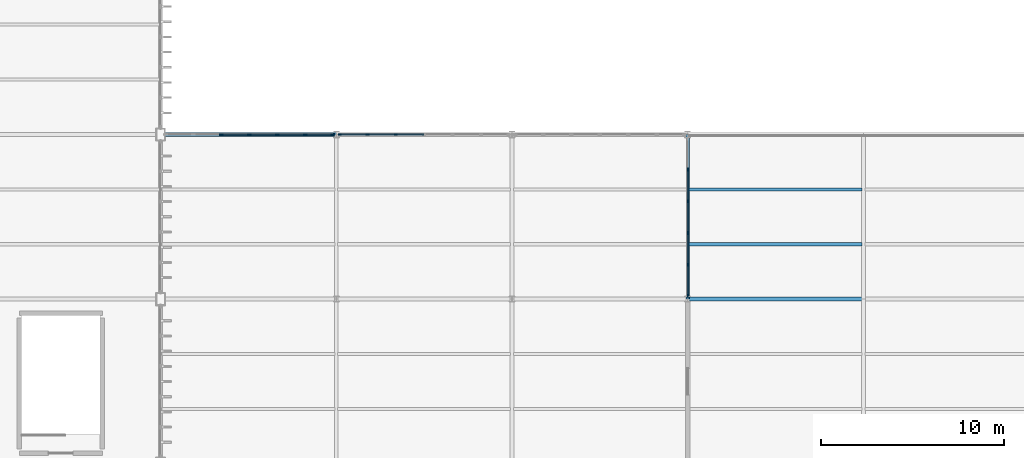
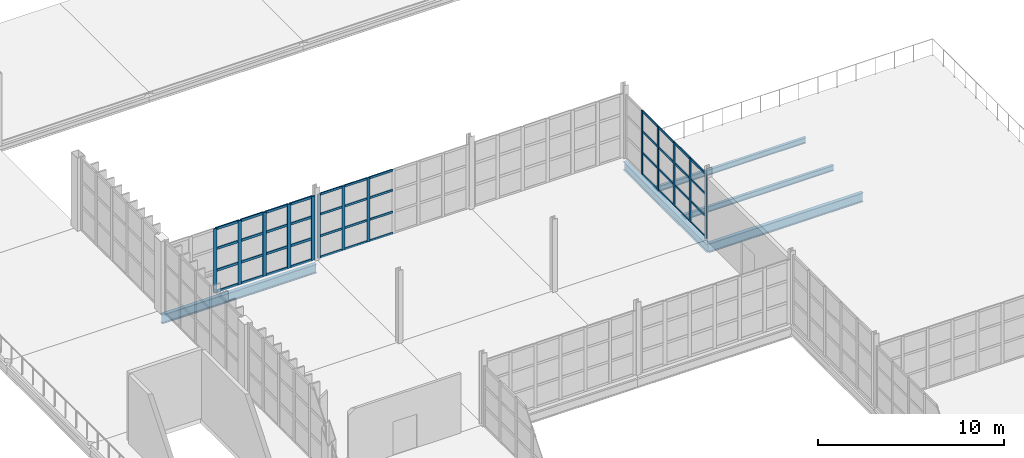
# One storey, part 69 of 120: 57 members, 5 beams, 3 elements without a shape of their own.
"""IFC4 building model written with IfcOpenShell, lengths in metres."""

from ifc_helpers import new_model, si_unit, direction, frame, origin, origin_2d, place, context, subcontext, project, spatial, rectangle, i_section, extrude, material, layer, layer_set, material_profile, profile_set, type_object, element, aggregate, save


model = new_model("IFC4")

# Units and contexts
model_context = context("Model", 3, precision=1e-05, world=origin(), true_north=direction((0.0, 1.0)))
body_context = subcontext(model_context, "Body", "Model", "MODEL_VIEW")
ifc_project = project(units=[si_unit("LENGTHUNIT", "METRE"), si_unit("AREAUNIT", "SQUARE_METRE"), si_unit("VOLUMEUNIT", "CUBIC_METRE"), si_unit("PLANEANGLEUNIT", "RADIAN"), si_unit("MASSUNIT", "GRAM", prefix="KILO")], contexts=[model_context])

# Site, building, storey
site_placement = place(None, origin())
site = spatial("IfcSite", under=ifc_project, at=site_placement, CompositionType="ELEMENT")
building_placement = place(site_placement, origin())
building = spatial("IfcBuilding", under=site, at=building_placement, Name="Zarnetskaya Central Station", CompositionType="ELEMENT")
storey_placement = place(building_placement, frame((0.0, 0.0, 5.39990234375)))
storey = spatial("IfcBuildingStorey", under=building, at=storey_placement, Name="L01", CompositionType="ELEMENT", Elevation=5.39990234375)

# Beams
ifc_material_1 = material(Name="Steel S355", Category="steel")
ifc_material_profile_1 = material_profile(ifc_material_1, i_section(OverallWidth=0.169921875, OverallDepth=0.360107421875, WebThickness=0.008056640625, FlangeThickness=0.0126953125, FilletRadius=0.01806640625, at=origin_2d()), Name="IPE 360")
ifc_profile_set_1 = profile_set([ifc_material_profile_1], Name="Steel S355")
beam_type_1 = type_object("IfcBeamType", Name="BM-SEC-360", PredefinedType="BEAM", material=ifc_profile_set_1)
for number, where, z_axis, x_axis, name in (
    (1, (153.679931640625, 43.199951171875, -0.39990234375), (1.0, 0.0, 0.0), (0.0, 1.0, 0.0), "Secondary floor beam SEC-L01-Z518-ST-67-1"),
    (2, (153.679931640625, 46.199951171875, -0.39990234375), (1.0, 0.0, 0.0), (0.0, 1.0, 0.0), "Secondary floor beam SEC-L01-Z518-ST-67-2"),
):
    element("IfcBeam", number, at=place(storey_placement, frame(where, z_axis=z_axis, x_axis=x_axis)), inside=storey, type_object=beam_type_1, Name=name, PredefinedType="BEAM", context=body_context, shape_type="SweptSolid", body=[
        extrude(i_section(OverallWidth=0.169921875, OverallDepth=0.360107421875, WebThickness=0.008056640625, FlangeThickness=0.0126953125, FilletRadius=0.01806640625, at=origin_2d()), origin(), (0.0, 0.0, 1.0), 9.440185546875),
    ])

# Curtain wall, members
ifc_material_2 = material(Name="Low-E insulated glass", Category="glass")
ifc_layer = layer(ifc_material_2, 0.159912109375, Name="Low-E insulated glass", Category="glass")
ifc_layer_set = layer_set([ifc_layer], Name="Low-E insulated glass")
curtain_wall_type = type_object("IfcCurtainWallType", Name="CW-SYS-06", PredefinedType="USERDEFINED", material=ifc_layer_set)
curtain_wall_1_placement = place(storey_placement, origin())
curtain_wall_1 = element("IfcCurtainWall", 3, at=curtain_wall_1_placement, inside=storey, type_object=curtain_wall_type, Name="Curtain wall CW-L01-113", ObjectType="CURTAIN WALL", PredefinedType="USERDEFINED")
ifc_material_3 = material(Name="Anodised aluminium", Category="aluminium")
ifc_material_profile_2 = material_profile(ifc_material_3, rectangle(XDim=0.070068359375, YDim=0.179931640625, at=origin_2d()), Name="ALU MULL 70x180")
ifc_profile_set_2 = profile_set([ifc_material_profile_2], Name="Anodised aluminium")
member_type_1 = type_object("IfcMemberType", Name="CW-MULL-180", PredefinedType="MULLION", material=ifc_profile_set_2)
member_1_placement = place(storey_placement, frame((134.5849609375, 49.199951171875, 0.0), z_axis=(0.0, 0.0, 1.0), x_axis=(0.0, 1.0, 0.0)))
member_1 = element("IfcMember", 4, at=member_1_placement, type_object=member_type_1, Name="CW-02 mullion 1", PredefinedType="MULLION", context=body_context, shape_type="SweptSolid", body=[
    extrude(rectangle(XDim=0.070068359375, YDim=0.179931640625, at=origin_2d()), origin(), (0.0, 0.0, 1.0), 4.2001953125),
])
member_2_placement = place(storey_placement, frame((136.10009765625, 49.199951171875, 0.0), z_axis=(0.0, 0.0, 1.0), x_axis=(0.0, 1.0, 0.0)))
member_2 = element("IfcMember", 5, at=member_2_placement, type_object=member_type_1, Name="CW-02 mullion 2", PredefinedType="MULLION", context=body_context, shape_type="SweptSolid", body=[
    extrude(rectangle(XDim=0.070068359375, YDim=0.179931640625, at=origin_2d()), origin(), (0.0, 0.0, 1.0), 4.2001953125),
])
member_3_placement = place(storey_placement, frame((137.64990234375, 49.199951171875, 0.0), z_axis=(0.0, 0.0, 1.0), x_axis=(0.0, 1.0, 0.0)))
member_3 = element("IfcMember", 6, at=member_3_placement, type_object=member_type_1, Name="CW-02 mullion 3", PredefinedType="MULLION", context=body_context, shape_type="SweptSolid", body=[
    extrude(rectangle(XDim=0.070068359375, YDim=0.179931640625, at=origin_2d()), origin(), (0.0, 0.0, 1.0), 4.2001953125),
])

curtain_wall_2_placement = place(storey_placement, origin())
curtain_wall_2 = element("IfcCurtainWall", 7, at=curtain_wall_2_placement, inside=storey, type_object=curtain_wall_type, Name="Curtain wall CW-L01-115", ObjectType="CURTAIN WALL", PredefinedType="USERDEFINED")
member_4_placement = place(storey_placement, frame((153.60009765625, 47.285888671875, 0.0), z_axis=(0.0, 0.0, 1.0), x_axis=(1.0, 0.0, 0.0)))
member_4 = element("IfcMember", 8, at=member_4_placement, type_object=member_type_1, Name="CW-02 mullion 2", PredefinedType="MULLION", context=body_context, shape_type="SweptSolid", body=[
    extrude(rectangle(XDim=0.070068359375, YDim=0.179931640625, at=origin_2d()), origin(), (0.0, 0.0, 1.0), 4.2001953125),
])
member_5_placement = place(storey_placement, frame((153.60009765625, 45.552001953125, 0.0), z_axis=(0.0, 0.0, 1.0), x_axis=(1.0, 0.0, 0.0)))
member_5 = element("IfcMember", 9, at=member_5_placement, type_object=member_type_1, Name="CW-02 mullion 3", PredefinedType="MULLION", context=body_context, shape_type="SweptSolid", body=[
    extrude(rectangle(XDim=0.070068359375, YDim=0.179931640625, at=origin_2d()), origin(), (0.0, 0.0, 1.0), 4.2001953125),
])
member_6_placement = place(storey_placement, frame((153.60009765625, 43.818115234375, 0.0), z_axis=(0.0, 0.0, 1.0), x_axis=(1.0, 0.0, 0.0)))
member_6 = element("IfcMember", 10, at=member_6_placement, type_object=member_type_1, Name="CW-02 mullion 4", PredefinedType="MULLION", context=body_context, shape_type="SweptSolid", body=[
    extrude(rectangle(XDim=0.070068359375, YDim=0.179931640625, at=origin_2d()), origin(), (0.0, 0.0, 1.0), 4.2001953125),
])
member_7_placement = place(storey_placement, frame((153.60009765625, 42.083984375, 0.0), z_axis=(0.0, 0.0, 1.0), x_axis=(1.0, 0.0, 0.0)))
member_7 = element("IfcMember", 11, at=member_7_placement, type_object=member_type_1, Name="CW-02 mullion 5", PredefinedType="MULLION", context=body_context, shape_type="SweptSolid", body=[
    extrude(rectangle(XDim=0.070068359375, YDim=0.179931640625, at=origin_2d()), origin(), (0.0, 0.0, 1.0), 4.2001953125),
])
member_8_placement = place(storey_placement, frame((153.60009765625, 40.385009765625, 0.0), z_axis=(0.0, 0.0, 1.0), x_axis=(1.0, 0.0, 0.0)))
member_8 = element("IfcMember", 12, at=member_8_placement, type_object=member_type_1, Name="CW-02 mullion 6", PredefinedType="MULLION", context=body_context, shape_type="SweptSolid", body=[
    extrude(rectangle(XDim=0.070068359375, YDim=0.179931640625, at=origin_2d()), origin(), (0.0, 0.0, 1.0), 4.2001953125),
])

curtain_wall_3_placement = place(storey_placement, origin())
curtain_wall_3 = element("IfcCurtainWall", 13, at=curtain_wall_3_placement, inside=storey, type_object=curtain_wall_type, Name="Curtain wall CW-L01-112", ObjectType="CURTAIN WALL", PredefinedType="USERDEFINED")
ifc_material_profile_3 = material_profile(ifc_material_3, rectangle(XDim=0.080078125, YDim=0.219970703125, at=origin_2d()), Name="ALU MULL 80x220")
ifc_profile_set_3 = profile_set([ifc_material_profile_3], Name="Anodised aluminium")
member_type_2 = type_object("IfcMemberType", Name="CW-MULL-220", PredefinedType="MULLION", material=ifc_profile_set_3)
member_9_placement = place(storey_placement, frame((128.11669921875, 49.199951171875, 0.0), z_axis=(0.0, 0.0, 1.0), x_axis=(0.0, 1.0, 0.0)))
member_9 = element("IfcMember", 14, at=member_9_placement, type_object=member_type_2, Name="CW-02 mullion 3", PredefinedType="MULLION", context=body_context, shape_type="SweptSolid", body=[
    extrude(rectangle(XDim=0.080078125, YDim=0.219970703125, at=origin_2d()), origin(), (0.0, 0.0, 1.0), 4.2001953125),
])
member_10_placement = place(storey_placement, frame((129.64990234375, 49.199951171875, 0.0), z_axis=(0.0, 0.0, 1.0), x_axis=(0.0, 1.0, 0.0)))
member_10 = element("IfcMember", 15, at=member_10_placement, type_object=member_type_2, Name="CW-02 mullion 4", PredefinedType="MULLION", context=body_context, shape_type="SweptSolid", body=[
    extrude(rectangle(XDim=0.080078125, YDim=0.219970703125, at=origin_2d()), origin(), (0.0, 0.0, 1.0), 4.2001953125),
])
member_11_placement = place(storey_placement, frame((131.183349609375, 49.199951171875, 0.0), z_axis=(0.0, 0.0, 1.0), x_axis=(0.0, 1.0, 0.0)))
member_11 = element("IfcMember", 16, at=member_11_placement, type_object=member_type_2, Name="CW-02 mullion 5", PredefinedType="MULLION", context=body_context, shape_type="SweptSolid", body=[
    extrude(rectangle(XDim=0.080078125, YDim=0.219970703125, at=origin_2d()), origin(), (0.0, 0.0, 1.0), 4.2001953125),
])
member_12_placement = place(storey_placement, frame((132.716552734375, 49.199951171875, 0.0), z_axis=(0.0, 0.0, 1.0), x_axis=(0.0, 1.0, 0.0)))
member_12 = element("IfcMember", 17, at=member_12_placement, type_object=member_type_2, Name="CW-02 mullion 6", PredefinedType="MULLION", context=body_context, shape_type="SweptSolid", body=[
    extrude(rectangle(XDim=0.080078125, YDim=0.219970703125, at=origin_2d()), origin(), (0.0, 0.0, 1.0), 4.2001953125),
])
member_13_placement = place(storey_placement, frame((134.2099609375, 49.199951171875, 0.0), z_axis=(0.0, 0.0, 1.0), x_axis=(0.0, 1.0, 0.0)))
member_13 = element("IfcMember", 18, at=member_13_placement, type_object=member_type_2, Name="CW-02 mullion 7", PredefinedType="MULLION", context=body_context, shape_type="SweptSolid", body=[
    extrude(rectangle(XDim=0.080078125, YDim=0.219970703125, at=origin_2d()), origin(), (0.0, 0.0, 1.0), 4.2001953125),
])

# Member
ifc_material_profile_4 = material_profile(ifc_material_3, rectangle(XDim=0.070068359375, YDim=0.139892578125, at=origin_2d()), Name="ALU TRAN 70x140")
ifc_profile_set_4 = profile_set([ifc_material_profile_4], Name="Anodised aluminium")
member_type_3 = type_object("IfcMemberType", Name="CW-TRAN-140", PredefinedType="USERDEFINED", material=ifc_profile_set_4)
member_14_placement = place(storey_placement, frame((134.6201171875, 49.199951171875, 0.03515625), z_axis=(1.0, 0.0, 0.0), x_axis=(0.0, 1.0, 0.0)))
member_14 = element("IfcMember", 19, at=member_14_placement, type_object=member_type_3, Name="CW-02 transom 1.1", ObjectType="TRANSOM", PredefinedType="USERDEFINED", context=body_context, shape_type="SweptSolid", body=[
    extrude(rectangle(XDim=0.070068359375, YDim=0.139892578125, at=origin_2d()), origin(), (0.0, 0.0, 1.0), 1.44482421875),
])

member_15_placement = place(storey_placement, frame((134.6201171875, 49.199951171875, 1.427978515625), z_axis=(1.0, 0.0, 0.0), x_axis=(0.0, 1.0, 0.0)))
member_15 = element("IfcMember", 20, at=member_15_placement, type_object=member_type_3, Name="CW-02 transom 1.2", ObjectType="TRANSOM", PredefinedType="USERDEFINED", context=body_context, shape_type="SweptSolid", body=[
    extrude(rectangle(XDim=0.070068359375, YDim=0.139892578125, at=origin_2d()), origin(), (0.0, 0.0, 1.0), 1.44482421875),
])

member_16_placement = place(storey_placement, frame((134.6201171875, 49.199951171875, 2.856201171875), z_axis=(1.0, 0.0, 0.0), x_axis=(0.0, 1.0, 0.0)))
member_16 = element("IfcMember", 21, at=member_16_placement, type_object=member_type_3, Name="CW-02 transom 1.3", ObjectType="TRANSOM", PredefinedType="USERDEFINED", context=body_context, shape_type="SweptSolid", body=[
    extrude(rectangle(XDim=0.070068359375, YDim=0.139892578125, at=origin_2d()), origin(), (0.0, 0.0, 1.0), 1.44482421875),
])

member_17_placement = place(storey_placement, frame((134.6201171875, 49.199951171875, 4.1650390625), z_axis=(1.0, 0.0, 0.0), x_axis=(0.0, 1.0, 0.0)))
member_17 = element("IfcMember", 22, at=member_17_placement, type_object=member_type_3, Name="CW-02 transom 1.4", ObjectType="TRANSOM", PredefinedType="USERDEFINED", context=body_context, shape_type="SweptSolid", body=[
    extrude(rectangle(XDim=0.070068359375, YDim=0.139892578125, at=origin_2d()), origin(), (0.0, 0.0, 1.0), 1.44482421875),
])

member_18_placement = place(storey_placement, frame((136.135009765625, 49.199951171875, 0.03515625), z_axis=(1.0, 0.0, 0.0), x_axis=(0.0, 1.0, 0.0)))
member_18 = element("IfcMember", 23, at=member_18_placement, type_object=member_type_3, Name="CW-02 transom 2.1", ObjectType="TRANSOM", PredefinedType="USERDEFINED", context=body_context, shape_type="SweptSolid", body=[
    extrude(rectangle(XDim=0.070068359375, YDim=0.139892578125, at=origin_2d()), origin(), (0.0, 0.0, 1.0), 1.47998046875),
])

member_19_placement = place(storey_placement, frame((136.135009765625, 49.199951171875, 1.427978515625), z_axis=(1.0, 0.0, 0.0), x_axis=(0.0, 1.0, 0.0)))
member_19 = element("IfcMember", 24, at=member_19_placement, type_object=member_type_3, Name="CW-02 transom 2.2", ObjectType="TRANSOM", PredefinedType="USERDEFINED", context=body_context, shape_type="SweptSolid", body=[
    extrude(rectangle(XDim=0.070068359375, YDim=0.139892578125, at=origin_2d()), origin(), (0.0, 0.0, 1.0), 1.47998046875),
])

member_20_placement = place(storey_placement, frame((136.135009765625, 49.199951171875, 2.856201171875), z_axis=(1.0, 0.0, 0.0), x_axis=(0.0, 1.0, 0.0)))
member_20 = element("IfcMember", 25, at=member_20_placement, type_object=member_type_3, Name="CW-02 transom 2.3", ObjectType="TRANSOM", PredefinedType="USERDEFINED", context=body_context, shape_type="SweptSolid", body=[
    extrude(rectangle(XDim=0.070068359375, YDim=0.139892578125, at=origin_2d()), origin(), (0.0, 0.0, 1.0), 1.47998046875),
])

member_21_placement = place(storey_placement, frame((136.135009765625, 49.199951171875, 4.1650390625), z_axis=(1.0, 0.0, 0.0), x_axis=(0.0, 1.0, 0.0)))
member_21 = element("IfcMember", 26, at=member_21_placement, type_object=member_type_3, Name="CW-02 transom 2.4", ObjectType="TRANSOM", PredefinedType="USERDEFINED", context=body_context, shape_type="SweptSolid", body=[
    extrude(rectangle(XDim=0.070068359375, YDim=0.139892578125, at=origin_2d()), origin(), (0.0, 0.0, 1.0), 1.47998046875),
])

member_22_placement = place(storey_placement, frame((137.68505859375, 49.199951171875, 0.03515625), z_axis=(1.0, 0.0, 0.0), x_axis=(0.0, 1.0, 0.0)))
member_22 = element("IfcMember", 27, at=member_22_placement, type_object=member_type_3, Name="CW-02 transom 3.1", ObjectType="TRANSOM", PredefinedType="USERDEFINED", context=body_context, shape_type="SweptSolid", body=[
    extrude(rectangle(XDim=0.070068359375, YDim=0.139892578125, at=origin_2d()), origin(), (0.0, 0.0, 1.0), 1.47998046875),
])

member_23_placement = place(storey_placement, frame((137.68505859375, 49.199951171875, 1.427978515625), z_axis=(1.0, 0.0, 0.0), x_axis=(0.0, 1.0, 0.0)))
member_23 = element("IfcMember", 28, at=member_23_placement, type_object=member_type_3, Name="CW-02 transom 3.2", ObjectType="TRANSOM", PredefinedType="USERDEFINED", context=body_context, shape_type="SweptSolid", body=[
    extrude(rectangle(XDim=0.070068359375, YDim=0.139892578125, at=origin_2d()), origin(), (0.0, 0.0, 1.0), 1.47998046875),
])

member_24_placement = place(storey_placement, frame((137.68505859375, 49.199951171875, 2.856201171875), z_axis=(1.0, 0.0, 0.0), x_axis=(0.0, 1.0, 0.0)))
member_24 = element("IfcMember", 29, at=member_24_placement, type_object=member_type_3, Name="CW-02 transom 3.3", ObjectType="TRANSOM", PredefinedType="USERDEFINED", context=body_context, shape_type="SweptSolid", body=[
    extrude(rectangle(XDim=0.070068359375, YDim=0.139892578125, at=origin_2d()), origin(), (0.0, 0.0, 1.0), 1.47998046875),
])

member_25_placement = place(storey_placement, frame((137.68505859375, 49.199951171875, 4.1650390625), z_axis=(1.0, 0.0, 0.0), x_axis=(0.0, 1.0, 0.0)))
member_25 = element("IfcMember", 30, at=member_25_placement, type_object=member_type_3, Name="CW-02 transom 3.4", ObjectType="TRANSOM", PredefinedType="USERDEFINED", context=body_context, shape_type="SweptSolid", body=[
    extrude(rectangle(XDim=0.070068359375, YDim=0.139892578125, at=origin_2d()), origin(), (0.0, 0.0, 1.0), 1.47998046875),
])

aggregate(curtain_wall_1, [member_1, member_2, member_3, member_14, member_15, member_16, member_17, member_18, member_19, member_20, member_21, member_22, member_23, member_24, member_25])

member_26_placement = place(storey_placement, frame((153.60009765625, 47.2509765625, 0.03515625), z_axis=(0.0, -1.0, 0.0), x_axis=(1.0, 0.0, 0.0)))
member_26 = element("IfcMember", 31, at=member_26_placement, type_object=member_type_3, Name="CW-02 transom 2.1", ObjectType="TRANSOM", PredefinedType="USERDEFINED", context=body_context, shape_type="SweptSolid", body=[
    extrude(rectangle(XDim=0.070068359375, YDim=0.139892578125, at=origin_2d()), origin(), (0.0, 0.0, 1.0), 1.6640625),
])

member_27_placement = place(storey_placement, frame((153.60009765625, 47.2509765625, 1.427978515625), z_axis=(0.0, -1.0, 0.0), x_axis=(1.0, 0.0, 0.0)))
member_27 = element("IfcMember", 32, at=member_27_placement, type_object=member_type_3, Name="CW-02 transom 2.2", ObjectType="TRANSOM", PredefinedType="USERDEFINED", context=body_context, shape_type="SweptSolid", body=[
    extrude(rectangle(XDim=0.070068359375, YDim=0.139892578125, at=origin_2d()), origin(), (0.0, 0.0, 1.0), 1.6640625),
])

member_28_placement = place(storey_placement, frame((153.60009765625, 47.2509765625, 2.856201171875), z_axis=(0.0, -1.0, 0.0), x_axis=(1.0, 0.0, 0.0)))
member_28 = element("IfcMember", 33, at=member_28_placement, type_object=member_type_3, Name="CW-02 transom 2.3", ObjectType="TRANSOM", PredefinedType="USERDEFINED", context=body_context, shape_type="SweptSolid", body=[
    extrude(rectangle(XDim=0.070068359375, YDim=0.139892578125, at=origin_2d()), origin(), (0.0, 0.0, 1.0), 1.6640625),
])

member_29_placement = place(storey_placement, frame((153.60009765625, 47.2509765625, 4.1650390625), z_axis=(0.0, -1.0, 0.0), x_axis=(1.0, 0.0, 0.0)))
member_29 = element("IfcMember", 34, at=member_29_placement, type_object=member_type_3, Name="CW-02 transom 2.4", ObjectType="TRANSOM", PredefinedType="USERDEFINED", context=body_context, shape_type="SweptSolid", body=[
    extrude(rectangle(XDim=0.070068359375, YDim=0.139892578125, at=origin_2d()), origin(), (0.0, 0.0, 1.0), 1.6640625),
])

member_30_placement = place(storey_placement, frame((153.60009765625, 45.51708984375, 0.03515625), z_axis=(0.0, -1.0, 0.0), x_axis=(1.0, 0.0, 0.0)))
member_30 = element("IfcMember", 35, at=member_30_placement, type_object=member_type_3, Name="CW-02 transom 3.1", ObjectType="TRANSOM", PredefinedType="USERDEFINED", context=body_context, shape_type="SweptSolid", body=[
    extrude(rectangle(XDim=0.070068359375, YDim=0.139892578125, at=origin_2d()), origin(), (0.0, 0.0, 1.0), 1.6640625),
])

member_31_placement = place(storey_placement, frame((153.60009765625, 45.51708984375, 1.427978515625), z_axis=(0.0, -1.0, 0.0), x_axis=(1.0, 0.0, 0.0)))
member_31 = element("IfcMember", 36, at=member_31_placement, type_object=member_type_3, Name="CW-02 transom 3.2", ObjectType="TRANSOM", PredefinedType="USERDEFINED", context=body_context, shape_type="SweptSolid", body=[
    extrude(rectangle(XDim=0.070068359375, YDim=0.139892578125, at=origin_2d()), origin(), (0.0, 0.0, 1.0), 1.6640625),
])

member_32_placement = place(storey_placement, frame((153.60009765625, 45.51708984375, 2.856201171875), z_axis=(0.0, -1.0, 0.0), x_axis=(1.0, 0.0, 0.0)))
member_32 = element("IfcMember", 37, at=member_32_placement, type_object=member_type_3, Name="CW-02 transom 3.3", ObjectType="TRANSOM", PredefinedType="USERDEFINED", context=body_context, shape_type="SweptSolid", body=[
    extrude(rectangle(XDim=0.070068359375, YDim=0.139892578125, at=origin_2d()), origin(), (0.0, 0.0, 1.0), 1.6640625),
])

member_33_placement = place(storey_placement, frame((153.60009765625, 45.51708984375, 4.1650390625), z_axis=(0.0, -1.0, 0.0), x_axis=(1.0, 0.0, 0.0)))
member_33 = element("IfcMember", 38, at=member_33_placement, type_object=member_type_3, Name="CW-02 transom 3.4", ObjectType="TRANSOM", PredefinedType="USERDEFINED", context=body_context, shape_type="SweptSolid", body=[
    extrude(rectangle(XDim=0.070068359375, YDim=0.139892578125, at=origin_2d()), origin(), (0.0, 0.0, 1.0), 1.6640625),
])

member_34_placement = place(storey_placement, frame((153.60009765625, 43.782958984375, 0.03515625), z_axis=(0.0, -1.0, 0.0), x_axis=(1.0, 0.0, 0.0)))
member_34 = element("IfcMember", 39, at=member_34_placement, type_object=member_type_3, Name="CW-02 transom 4.1", ObjectType="TRANSOM", PredefinedType="USERDEFINED", context=body_context, shape_type="SweptSolid", body=[
    extrude(rectangle(XDim=0.070068359375, YDim=0.139892578125, at=origin_2d()), origin(), (0.0, 0.0, 1.0), 1.6640625),
])

member_35_placement = place(storey_placement, frame((153.60009765625, 43.782958984375, 1.427978515625), z_axis=(0.0, -1.0, 0.0), x_axis=(1.0, 0.0, 0.0)))
member_35 = element("IfcMember", 40, at=member_35_placement, type_object=member_type_3, Name="CW-02 transom 4.2", ObjectType="TRANSOM", PredefinedType="USERDEFINED", context=body_context, shape_type="SweptSolid", body=[
    extrude(rectangle(XDim=0.070068359375, YDim=0.139892578125, at=origin_2d()), origin(), (0.0, 0.0, 1.0), 1.6640625),
])

member_36_placement = place(storey_placement, frame((153.60009765625, 43.782958984375, 2.856201171875), z_axis=(0.0, -1.0, 0.0), x_axis=(1.0, 0.0, 0.0)))
member_36 = element("IfcMember", 41, at=member_36_placement, type_object=member_type_3, Name="CW-02 transom 4.3", ObjectType="TRANSOM", PredefinedType="USERDEFINED", context=body_context, shape_type="SweptSolid", body=[
    extrude(rectangle(XDim=0.070068359375, YDim=0.139892578125, at=origin_2d()), origin(), (0.0, 0.0, 1.0), 1.6640625),
])

member_37_placement = place(storey_placement, frame((153.60009765625, 43.782958984375, 4.1650390625), z_axis=(0.0, -1.0, 0.0), x_axis=(1.0, 0.0, 0.0)))
member_37 = element("IfcMember", 42, at=member_37_placement, type_object=member_type_3, Name="CW-02 transom 4.4", ObjectType="TRANSOM", PredefinedType="USERDEFINED", context=body_context, shape_type="SweptSolid", body=[
    extrude(rectangle(XDim=0.070068359375, YDim=0.139892578125, at=origin_2d()), origin(), (0.0, 0.0, 1.0), 1.6640625),
])

member_38_placement = place(storey_placement, frame((153.60009765625, 42.049072265625, 0.03515625), z_axis=(0.0, -1.0, 0.0), x_axis=(1.0, 0.0, 0.0)))
member_38 = element("IfcMember", 43, at=member_38_placement, type_object=member_type_3, Name="CW-02 transom 5.1", ObjectType="TRANSOM", PredefinedType="USERDEFINED", context=body_context, shape_type="SweptSolid", body=[
    extrude(rectangle(XDim=0.070068359375, YDim=0.139892578125, at=origin_2d()), origin(), (0.0, 0.0, 1.0), 1.629150390625),
])

member_39_placement = place(storey_placement, frame((153.60009765625, 42.049072265625, 1.427978515625), z_axis=(0.0, -1.0, 0.0), x_axis=(1.0, 0.0, 0.0)))
member_39 = element("IfcMember", 44, at=member_39_placement, type_object=member_type_3, Name="CW-02 transom 5.2", ObjectType="TRANSOM", PredefinedType="USERDEFINED", context=body_context, shape_type="SweptSolid", body=[
    extrude(rectangle(XDim=0.070068359375, YDim=0.139892578125, at=origin_2d()), origin(), (0.0, 0.0, 1.0), 1.629150390625),
])

member_40_placement = place(storey_placement, frame((153.60009765625, 42.049072265625, 2.856201171875), z_axis=(0.0, -1.0, 0.0), x_axis=(1.0, 0.0, 0.0)))
member_40 = element("IfcMember", 45, at=member_40_placement, type_object=member_type_3, Name="CW-02 transom 5.3", ObjectType="TRANSOM", PredefinedType="USERDEFINED", context=body_context, shape_type="SweptSolid", body=[
    extrude(rectangle(XDim=0.070068359375, YDim=0.139892578125, at=origin_2d()), origin(), (0.0, 0.0, 1.0), 1.629150390625),
])

member_41_placement = place(storey_placement, frame((153.60009765625, 42.049072265625, 4.1650390625), z_axis=(0.0, -1.0, 0.0), x_axis=(1.0, 0.0, 0.0)))
member_41 = element("IfcMember", 46, at=member_41_placement, type_object=member_type_3, Name="CW-02 transom 5.4", ObjectType="TRANSOM", PredefinedType="USERDEFINED", context=body_context, shape_type="SweptSolid", body=[
    extrude(rectangle(XDim=0.070068359375, YDim=0.139892578125, at=origin_2d()), origin(), (0.0, 0.0, 1.0), 1.629150390625),
])

aggregate(curtain_wall_2, [member_4, member_5, member_6, member_7, member_8, member_26, member_27, member_28, member_29, member_30, member_31, member_32, member_33, member_34, member_35, member_36, member_37, member_38, member_39, member_40, member_41])

ifc_material_profile_5 = material_profile(ifc_material_3, rectangle(XDim=0.080078125, YDim=0.159912109375, at=origin_2d()), Name="ALU TRAN 80x160")
ifc_profile_set_5 = profile_set([ifc_material_profile_5], Name="Anodised aluminium")
member_type_4 = type_object("IfcMemberType", Name="CW-TRAN-160", PredefinedType="USERDEFINED", material=ifc_profile_set_5)
member_42_placement = place(storey_placement, frame((128.15673828125, 49.199951171875, 0.0400390625), z_axis=(1.0, 0.0, 0.0), x_axis=(0.0, 1.0, 0.0)))
member_42 = element("IfcMember", 47, at=member_42_placement, type_object=member_type_4, Name="CW-02 transom 3.1", ObjectType="TRANSOM", PredefinedType="USERDEFINED", context=body_context, shape_type="SweptSolid", body=[
    extrude(rectangle(XDim=0.080078125, YDim=0.159912109375, at=origin_2d()), origin(), (0.0, 0.0, 1.0), 1.453369140625),
])

member_43_placement = place(storey_placement, frame((128.15673828125, 49.199951171875, 1.427978515625), z_axis=(1.0, 0.0, 0.0), x_axis=(0.0, 1.0, 0.0)))
member_43 = element("IfcMember", 48, at=member_43_placement, type_object=member_type_4, Name="CW-02 transom 3.2", ObjectType="TRANSOM", PredefinedType="USERDEFINED", context=body_context, shape_type="SweptSolid", body=[
    extrude(rectangle(XDim=0.080078125, YDim=0.159912109375, at=origin_2d()), origin(), (0.0, 0.0, 1.0), 1.453369140625),
])

member_44_placement = place(storey_placement, frame((128.15673828125, 49.199951171875, 2.856201171875), z_axis=(1.0, 0.0, 0.0), x_axis=(0.0, 1.0, 0.0)))
member_44 = element("IfcMember", 49, at=member_44_placement, type_object=member_type_4, Name="CW-02 transom 3.3", ObjectType="TRANSOM", PredefinedType="USERDEFINED", context=body_context, shape_type="SweptSolid", body=[
    extrude(rectangle(XDim=0.080078125, YDim=0.159912109375, at=origin_2d()), origin(), (0.0, 0.0, 1.0), 1.453369140625),
])

member_45_placement = place(storey_placement, frame((128.15673828125, 49.199951171875, 4.16015625), z_axis=(1.0, 0.0, 0.0), x_axis=(0.0, 1.0, 0.0)))
member_45 = element("IfcMember", 50, at=member_45_placement, type_object=member_type_4, Name="CW-02 transom 3.4", ObjectType="TRANSOM", PredefinedType="USERDEFINED", context=body_context, shape_type="SweptSolid", body=[
    extrude(rectangle(XDim=0.080078125, YDim=0.159912109375, at=origin_2d()), origin(), (0.0, 0.0, 1.0), 1.453369140625),
])

member_46_placement = place(storey_placement, frame((129.68994140625, 49.199951171875, 0.0400390625), z_axis=(1.0, 0.0, 0.0), x_axis=(0.0, 1.0, 0.0)))
member_46 = element("IfcMember", 51, at=member_46_placement, type_object=member_type_4, Name="CW-02 transom 4.1", ObjectType="TRANSOM", PredefinedType="USERDEFINED", context=body_context, shape_type="SweptSolid", body=[
    extrude(rectangle(XDim=0.080078125, YDim=0.159912109375, at=origin_2d()), origin(), (0.0, 0.0, 1.0), 1.453369140625),
])

member_47_placement = place(storey_placement, frame((129.68994140625, 49.199951171875, 1.427978515625), z_axis=(1.0, 0.0, 0.0), x_axis=(0.0, 1.0, 0.0)))
member_47 = element("IfcMember", 52, at=member_47_placement, type_object=member_type_4, Name="CW-02 transom 4.2", ObjectType="TRANSOM", PredefinedType="USERDEFINED", context=body_context, shape_type="SweptSolid", body=[
    extrude(rectangle(XDim=0.080078125, YDim=0.159912109375, at=origin_2d()), origin(), (0.0, 0.0, 1.0), 1.453369140625),
])

member_48_placement = place(storey_placement, frame((129.68994140625, 49.199951171875, 2.856201171875), z_axis=(1.0, 0.0, 0.0), x_axis=(0.0, 1.0, 0.0)))
member_48 = element("IfcMember", 53, at=member_48_placement, type_object=member_type_4, Name="CW-02 transom 4.3", ObjectType="TRANSOM", PredefinedType="USERDEFINED", context=body_context, shape_type="SweptSolid", body=[
    extrude(rectangle(XDim=0.080078125, YDim=0.159912109375, at=origin_2d()), origin(), (0.0, 0.0, 1.0), 1.453369140625),
])

member_49_placement = place(storey_placement, frame((129.68994140625, 49.199951171875, 4.16015625), z_axis=(1.0, 0.0, 0.0), x_axis=(0.0, 1.0, 0.0)))
member_49 = element("IfcMember", 54, at=member_49_placement, type_object=member_type_4, Name="CW-02 transom 4.4", ObjectType="TRANSOM", PredefinedType="USERDEFINED", context=body_context, shape_type="SweptSolid", body=[
    extrude(rectangle(XDim=0.080078125, YDim=0.159912109375, at=origin_2d()), origin(), (0.0, 0.0, 1.0), 1.453369140625),
])

member_50_placement = place(storey_placement, frame((131.223388671875, 49.199951171875, 0.0400390625), z_axis=(1.0, 0.0, 0.0), x_axis=(0.0, 1.0, 0.0)))
member_50 = element("IfcMember", 55, at=member_50_placement, type_object=member_type_4, Name="CW-02 transom 5.1", ObjectType="TRANSOM", PredefinedType="USERDEFINED", context=body_context, shape_type="SweptSolid", body=[
    extrude(rectangle(XDim=0.080078125, YDim=0.159912109375, at=origin_2d()), origin(), (0.0, 0.0, 1.0), 1.453369140625),
])

member_51_placement = place(storey_placement, frame((131.223388671875, 49.199951171875, 1.427978515625), z_axis=(1.0, 0.0, 0.0), x_axis=(0.0, 1.0, 0.0)))
member_51 = element("IfcMember", 56, at=member_51_placement, type_object=member_type_4, Name="CW-02 transom 5.2", ObjectType="TRANSOM", PredefinedType="USERDEFINED", context=body_context, shape_type="SweptSolid", body=[
    extrude(rectangle(XDim=0.080078125, YDim=0.159912109375, at=origin_2d()), origin(), (0.0, 0.0, 1.0), 1.453369140625),
])

member_52_placement = place(storey_placement, frame((131.223388671875, 49.199951171875, 2.856201171875), z_axis=(1.0, 0.0, 0.0), x_axis=(0.0, 1.0, 0.0)))
member_52 = element("IfcMember", 57, at=member_52_placement, type_object=member_type_4, Name="CW-02 transom 5.3", ObjectType="TRANSOM", PredefinedType="USERDEFINED", context=body_context, shape_type="SweptSolid", body=[
    extrude(rectangle(XDim=0.080078125, YDim=0.159912109375, at=origin_2d()), origin(), (0.0, 0.0, 1.0), 1.453369140625),
])

member_53_placement = place(storey_placement, frame((131.223388671875, 49.199951171875, 4.16015625), z_axis=(1.0, 0.0, 0.0), x_axis=(0.0, 1.0, 0.0)))
member_53 = element("IfcMember", 58, at=member_53_placement, type_object=member_type_4, Name="CW-02 transom 5.4", ObjectType="TRANSOM", PredefinedType="USERDEFINED", context=body_context, shape_type="SweptSolid", body=[
    extrude(rectangle(XDim=0.080078125, YDim=0.159912109375, at=origin_2d()), origin(), (0.0, 0.0, 1.0), 1.453369140625),
])

member_54_placement = place(storey_placement, frame((132.756591796875, 49.199951171875, 0.0400390625), z_axis=(1.0, 0.0, 0.0), x_axis=(0.0, 1.0, 0.0)))
member_54 = element("IfcMember", 59, at=member_54_placement, type_object=member_type_4, Name="CW-02 transom 6.1", ObjectType="TRANSOM", PredefinedType="USERDEFINED", context=body_context, shape_type="SweptSolid", body=[
    extrude(rectangle(XDim=0.080078125, YDim=0.159912109375, at=origin_2d()), origin(), (0.0, 0.0, 1.0), 1.413330078125),
])

member_55_placement = place(storey_placement, frame((132.756591796875, 49.199951171875, 1.427978515625), z_axis=(1.0, 0.0, 0.0), x_axis=(0.0, 1.0, 0.0)))
member_55 = element("IfcMember", 60, at=member_55_placement, type_object=member_type_4, Name="CW-02 transom 6.2", ObjectType="TRANSOM", PredefinedType="USERDEFINED", context=body_context, shape_type="SweptSolid", body=[
    extrude(rectangle(XDim=0.080078125, YDim=0.159912109375, at=origin_2d()), origin(), (0.0, 0.0, 1.0), 1.413330078125),
])

member_56_placement = place(storey_placement, frame((132.756591796875, 49.199951171875, 2.856201171875), z_axis=(1.0, 0.0, 0.0), x_axis=(0.0, 1.0, 0.0)))
member_56 = element("IfcMember", 61, at=member_56_placement, type_object=member_type_4, Name="CW-02 transom 6.3", ObjectType="TRANSOM", PredefinedType="USERDEFINED", context=body_context, shape_type="SweptSolid", body=[
    extrude(rectangle(XDim=0.080078125, YDim=0.159912109375, at=origin_2d()), origin(), (0.0, 0.0, 1.0), 1.413330078125),
])

member_57_placement = place(storey_placement, frame((132.756591796875, 49.199951171875, 4.16015625), z_axis=(1.0, 0.0, 0.0), x_axis=(0.0, 1.0, 0.0)))
member_57 = element("IfcMember", 62, at=member_57_placement, type_object=member_type_4, Name="CW-02 transom 6.4", ObjectType="TRANSOM", PredefinedType="USERDEFINED", context=body_context, shape_type="SweptSolid", body=[
    extrude(rectangle(XDim=0.080078125, YDim=0.159912109375, at=origin_2d()), origin(), (0.0, 0.0, 1.0), 1.413330078125),
])

aggregate(curtain_wall_3, [member_9, member_10, member_11, member_12, member_13, member_42, member_43, member_44, member_45, member_46, member_47, member_48, member_49, member_50, member_51, member_52, member_53, member_54, member_55, member_56, member_57])

# Beams
ifc_material_profile_6 = material_profile(ifc_material_1, i_section(OverallWidth=0.2099609375, OverallDepth=0.550048828125, WebThickness=0.010986328125, FlangeThickness=0.01708984375, FilletRadius=0.02392578125, at=origin_2d()), Name="IPE 550")
ifc_profile_set_6 = profile_set([ifc_material_profile_6], Name="Steel S355")
beam_type_2 = type_object("IfcBeamType", Name="GD-FLR-550", PredefinedType="USERDEFINED", material=ifc_profile_set_6)
beam_placement = place(storey_placement, frame((153.60009765625, 40.199951171875, -0.554931640625), z_axis=(0.0, 1.0, 0.0), x_axis=(-1.0, 0.0, 0.0)))
element("IfcBeam", 63, at=beam_placement, inside=storey, type_object=beam_type_2, Name="Grid girder GY-L01-S-67", ObjectType="GIRDER", PredefinedType="USERDEFINED", context=body_context, shape_type="SweptSolid", body=[
    extrude(i_section(OverallWidth=0.2099609375, OverallDepth=0.550048828125, WebThickness=0.010986328125, FlangeThickness=0.01708984375, FilletRadius=0.02392578125, at=origin_2d()), origin(), (0.0, 0.0, 1.0), 9.0),
])
ifc_material_profile_7 = material_profile(ifc_material_1, i_section(OverallWidth=0.219970703125, OverallDepth=0.60009765625, WebThickness=0.011962890625, FlangeThickness=0.01904296875, FilletRadius=0.02392578125, at=origin_2d()), Name="IPE 600")
ifc_profile_set_7 = profile_set([ifc_material_profile_7], Name="Steel S355")
beam_type_3 = type_object("IfcBeamType", Name="GD-FLR-600", PredefinedType="USERDEFINED", material=ifc_profile_set_7)
for number, where, z_axis, x_axis, name in (
    (64, (124.800048828125, 49.199951171875, -0.579833984375), (1.0, 0.0, 0.0), (0.0, 1.0, 0.0), "Grid girder GX-L01-7-PQ"),
    (65, (153.60009765625, 40.199951171875, -0.52001953125), (1.0, 0.0, 0.0), (0.0, 1.0, 0.0), "Grid girder GX-L01-6-ST"),
):
    element("IfcBeam", number, at=place(storey_placement, frame(where, z_axis=z_axis, x_axis=x_axis)), inside=storey, type_object=beam_type_3, Name=name, ObjectType="GIRDER", PredefinedType="USERDEFINED", context=body_context, shape_type="SweptSolid", body=[
        extrude(i_section(OverallWidth=0.219970703125, OverallDepth=0.60009765625, WebThickness=0.011962890625, FlangeThickness=0.01904296875, FilletRadius=0.02392578125, at=origin_2d()), origin(), (0.0, 0.0, 1.0), 9.599853515625),
    ])

save(model, "model.ifc")
